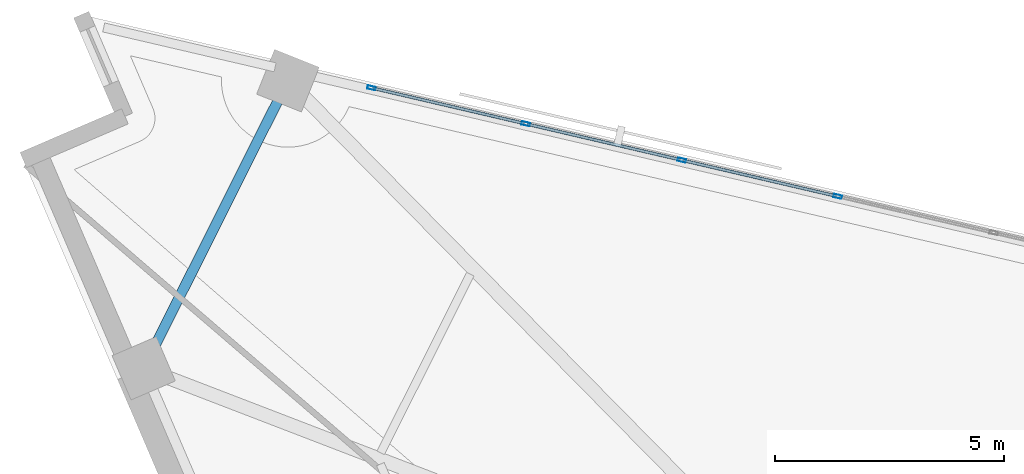
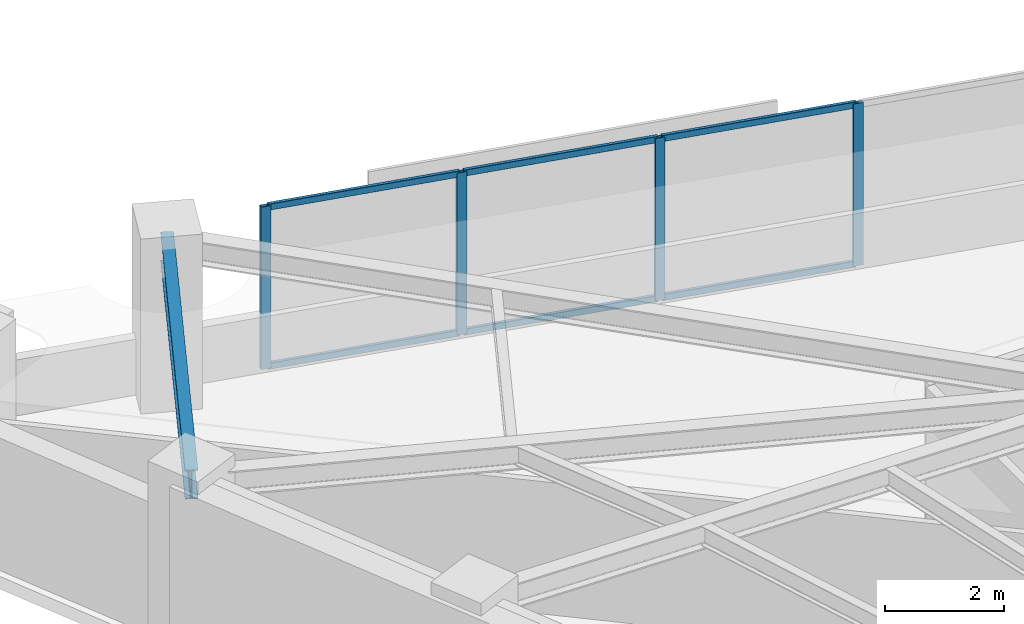
# One storey, part 6 of 14: 10 members, 1 beam, 1 element without a shape of its own.
"""IFC4 building model written with IfcOpenShell, lengths in metres."""

from ifc_helpers import new_model, si_unit, direction, frame, origin, origin_2d, place, context, subcontext, project, spatial, hollow_rectangle, i_section, extrude, material, material_profile, profile_set, type_object, element, aggregate, save


model = new_model("IFC4")

# Units and contexts
model_context = context("Model", 3, precision=1e-05, world=origin(), true_north=direction((0.0, 1.0)))
body_context = subcontext(model_context, "Body", "Model", "MODEL_VIEW")
ifc_project = project(units=[si_unit("LENGTHUNIT", "METRE"), si_unit("AREAUNIT", "SQUARE_METRE"), si_unit("VOLUMEUNIT", "CUBIC_METRE"), si_unit("PLANEANGLEUNIT", "RADIAN"), si_unit("MASSUNIT", "GRAM", prefix="KILO")], contexts=[model_context])

# Site, building, storey
site_placement = place(None, origin())
site = spatial("IfcSite", under=ifc_project, at=site_placement, CompositionType="ELEMENT")
building_placement = place(site_placement, origin())
building = spatial("IfcBuilding", under=site, at=building_placement, Name="Narakoshi Arena Tower", CompositionType="ELEMENT")
storey_placement = place(building_placement, frame((0.0, 0.0, 175.5)))
storey = spatial("IfcBuildingStorey", under=building, at=storey_placement, Name="L47", CompositionType="ELEMENT", Elevation=175.5)

# Beam
ifc_material_1 = material(Name="Structural steel S355J2", Category="steel")
ifc_material_profile_1 = material_profile(ifc_material_1, i_section(OverallWidth=0.219970703125, OverallDepth=0.60009765625, WebThickness=0.011962890625, FlangeThickness=0.01904296875, FilletRadius=0.02392578125, at=origin_2d()), Name="IPE600")
ifc_profile_set_1 = profile_set([ifc_material_profile_1], Name="Structural steel S355J2")
beam_type = type_object("IfcBeamType", Name="BM-EDGE-600", PredefinedType="BEAM", material=ifc_profile_set_1)
beam_placement = place(storey_placement, frame((60.12158203125, 68.55126953125, 3.0400390625), z_axis=(-0.448312643015, -0.893876822674, 0.0), x_axis=(0.893876822674, -0.448312643015, 0.0)))
element("IfcBeam", 1, at=beam_placement, inside=storey, type_object=beam_type, Name="L47 Perimeter Edge Girder 07", PredefinedType="BEAM", context=body_context, shape_type="SweptSolid", body=[
    extrude(i_section(OverallWidth=0.219970703125, OverallDepth=0.60009765625, WebThickness=0.011962890625, FlangeThickness=0.01904296875, FilletRadius=0.02392578125, at=origin_2d()), origin(), (0.0, 0.0, 1.0), 7.017333984375),
])

# Curtain wall, members
ifc_material_2 = material(Name="Anodised bronze aluminium 6063-T6", Category="aluminium")
curtain_wall_type = type_object("IfcCurtainWallType", Name="CW-HYP-MID", PredefinedType="NOTDEFINED", material=ifc_material_2)
curtain_wall_placement = place(storey_placement, origin())
curtain_wall = element("IfcCurtainWall", 2, at=curtain_wall_placement, inside=storey, type_object=curtain_wall_type, Name="L47 Folded Hypotenuse Curtain Wall 2-1", PredefinedType="NOTDEFINED")
ifc_material_profile_2 = material_profile(ifc_material_2, hollow_rectangle(XDim=0.074951171875, YDim=0.179931640625, WallThickness=0.00390625, OuterFilletRadius=0.0048828125, at=origin_2d()), Name="MUL180x75x4")
ifc_profile_set_2 = profile_set([ifc_material_profile_2], Name="Anodised bronze aluminium 6063-T6")
member_type_1 = type_object("IfcMemberType", Name="MEM-MUL-180", PredefinedType="MULLION", material=ifc_profile_set_2)
member_1_placement = place(storey_placement, frame((72.109619140625, 66.027587890625, 0.0), z_axis=(0.0, 0.0, 1.0), x_axis=(-0.226721182724, -0.973959704148, 0.0)))
member_1 = element("IfcMember", 3, at=member_1_placement, type_object=member_type_1, Name="CW-02 mullion 5", PredefinedType="MULLION", context=body_context, shape_type="SweptSolid", body=[
    extrude(hollow_rectangle(XDim=0.074951171875, YDim=0.179931640625, WallThickness=0.00390625, OuterFilletRadius=0.0048828125, at=origin_2d()), origin(), (0.0, 0.0, 1.0), 3.340087890625),
])
member_2_placement = place(storey_placement, frame((68.708740234375, 66.8193359375, 0.0), z_axis=(0.0, 0.0, 1.0), x_axis=(-0.226721182724, -0.973959704148, 0.0)))
member_2 = element("IfcMember", 4, at=member_2_placement, type_object=member_type_1, Name="CW-02 mullion 6", PredefinedType="MULLION", context=body_context, shape_type="SweptSolid", body=[
    extrude(hollow_rectangle(XDim=0.074951171875, YDim=0.179931640625, WallThickness=0.00390625, OuterFilletRadius=0.0048828125, at=origin_2d()), origin(), (0.0, 0.0, 1.0), 3.340087890625),
])
member_3_placement = place(storey_placement, frame((65.307861328125, 67.611083984375, 0.0), z_axis=(0.0, 0.0, 1.0), x_axis=(-0.226721182724, -0.973959704148, 0.0)))
member_3 = element("IfcMember", 5, at=member_3_placement, type_object=member_type_1, Name="CW-02 mullion 7", PredefinedType="MULLION", context=body_context, shape_type="SweptSolid", body=[
    extrude(hollow_rectangle(XDim=0.074951171875, YDim=0.179931640625, WallThickness=0.00390625, OuterFilletRadius=0.0048828125, at=origin_2d()), origin(), (0.0, 0.0, 1.0), 3.340087890625),
])
member_4_placement = place(storey_placement, frame((61.943359375, 68.394287109375, 0.0), z_axis=(0.0, 0.0, 1.0), x_axis=(-0.226721182724, -0.973959704148, 0.0)))
member_4 = element("IfcMember", 6, at=member_4_placement, type_object=member_type_1, Name="CW-02 mullion 8", PredefinedType="MULLION", context=body_context, shape_type="SweptSolid", body=[
    extrude(hollow_rectangle(XDim=0.074951171875, YDim=0.179931640625, WallThickness=0.00390625, OuterFilletRadius=0.0048828125, at=origin_2d()), origin(), (0.0, 0.0, 1.0), 3.340087890625),
])
ifc_material_profile_3 = material_profile(ifc_material_2, hollow_rectangle(XDim=0.06494140625, YDim=0.1298828125, WallThickness=0.00390625, OuterFilletRadius=0.0048828125, at=origin_2d()), Name="TRN130x65x4")
ifc_profile_set_3 = profile_set([ifc_material_profile_3], Name="Anodised bronze aluminium 6063-T6")
member_type_2 = type_object("IfcMemberType", Name="MEM-TRN-130", PredefinedType="USERDEFINED", material=ifc_profile_set_3)
member_5_placement = place(storey_placement, frame((72.072998046875, 66.0361328125, 0.032470703125), z_axis=(-0.973960713384, 0.226716847155, 0.0), x_axis=(-0.226716847155, -0.973960713384, 0.0)))
member_5 = element("IfcMember", 7, at=member_5_placement, type_object=member_type_2, Name="CW-02 transom 5.1", ObjectType="TRANSOM", PredefinedType="USERDEFINED", context=body_context, shape_type="SweptSolid", body=[
    extrude(hollow_rectangle(XDim=0.06494140625, YDim=0.1298828125, WallThickness=0.00390625, OuterFilletRadius=0.0048828125, at=origin_2d()), origin(), (0.0, 0.0, 1.0), 3.416748046875),
])
member_6_placement = place(storey_placement, frame((72.072998046875, 66.0361328125, 3.3076171875), z_axis=(-0.973960713384, 0.226716847155, 0.0), x_axis=(-0.226716847155, -0.973960713384, 0.0)))
member_6 = element("IfcMember", 8, at=member_6_placement, type_object=member_type_2, Name="CW-02 transom 5.2", ObjectType="TRANSOM", PredefinedType="USERDEFINED", context=body_context, shape_type="SweptSolid", body=[
    extrude(hollow_rectangle(XDim=0.06494140625, YDim=0.1298828125, WallThickness=0.00390625, OuterFilletRadius=0.0048828125, at=origin_2d()), origin(), (0.0, 0.0, 1.0), 3.416748046875),
])
member_7_placement = place(storey_placement, frame((68.672119140625, 66.827880859375, 0.032470703125), z_axis=(-0.973960713384, 0.226716847155, 0.0), x_axis=(-0.226716847155, -0.973960713384, 0.0)))
member_7 = element("IfcMember", 9, at=member_7_placement, type_object=member_type_2, Name="CW-02 transom 6.1", ObjectType="TRANSOM", PredefinedType="USERDEFINED", context=body_context, shape_type="SweptSolid", body=[
    extrude(hollow_rectangle(XDim=0.06494140625, YDim=0.1298828125, WallThickness=0.00390625, OuterFilletRadius=0.0048828125, at=origin_2d()), origin(), (0.0, 0.0, 1.0), 3.416748046875),
])
member_8_placement = place(storey_placement, frame((68.672119140625, 66.827880859375, 3.3076171875), z_axis=(-0.973960713384, 0.226716847155, 0.0), x_axis=(-0.226716847155, -0.973960713384, 0.0)))
member_8 = element("IfcMember", 10, at=member_8_placement, type_object=member_type_2, Name="CW-02 transom 6.2", ObjectType="TRANSOM", PredefinedType="USERDEFINED", context=body_context, shape_type="SweptSolid", body=[
    extrude(hollow_rectangle(XDim=0.06494140625, YDim=0.1298828125, WallThickness=0.00390625, OuterFilletRadius=0.0048828125, at=origin_2d()), origin(), (0.0, 0.0, 1.0), 3.416748046875),
])
member_9_placement = place(storey_placement, frame((65.271240234375, 67.61962890625, 0.032470703125), z_axis=(-0.97396204172, 0.226711140636, 0.0), x_axis=(-0.226711140636, -0.97396204172, 0.0)))
member_9 = element("IfcMember", 11, at=member_9_placement, type_object=member_type_2, Name="CW-02 transom 7.1", ObjectType="TRANSOM", PredefinedType="USERDEFINED", context=body_context, shape_type="SweptSolid", body=[
    extrude(hollow_rectangle(XDim=0.06494140625, YDim=0.1298828125, WallThickness=0.00390625, OuterFilletRadius=0.0048828125, at=origin_2d()), origin(), (0.0, 0.0, 1.0), 3.379150390625),
])
member_10_placement = place(storey_placement, frame((65.271240234375, 67.61962890625, 3.3076171875), z_axis=(-0.97396204172, 0.226711140636, 0.0), x_axis=(-0.226711140636, -0.97396204172, 0.0)))
member_10 = element("IfcMember", 12, at=member_10_placement, type_object=member_type_2, Name="CW-02 transom 7.2", ObjectType="TRANSOM", PredefinedType="USERDEFINED", context=body_context, shape_type="SweptSolid", body=[
    extrude(hollow_rectangle(XDim=0.06494140625, YDim=0.1298828125, WallThickness=0.00390625, OuterFilletRadius=0.0048828125, at=origin_2d()), origin(), (0.0, 0.0, 1.0), 3.379150390625),
])
aggregate(curtain_wall, [member_1, member_2, member_3, member_4, member_5, member_6, member_7, member_8, member_9, member_10])

save(model, "model.ifc")
